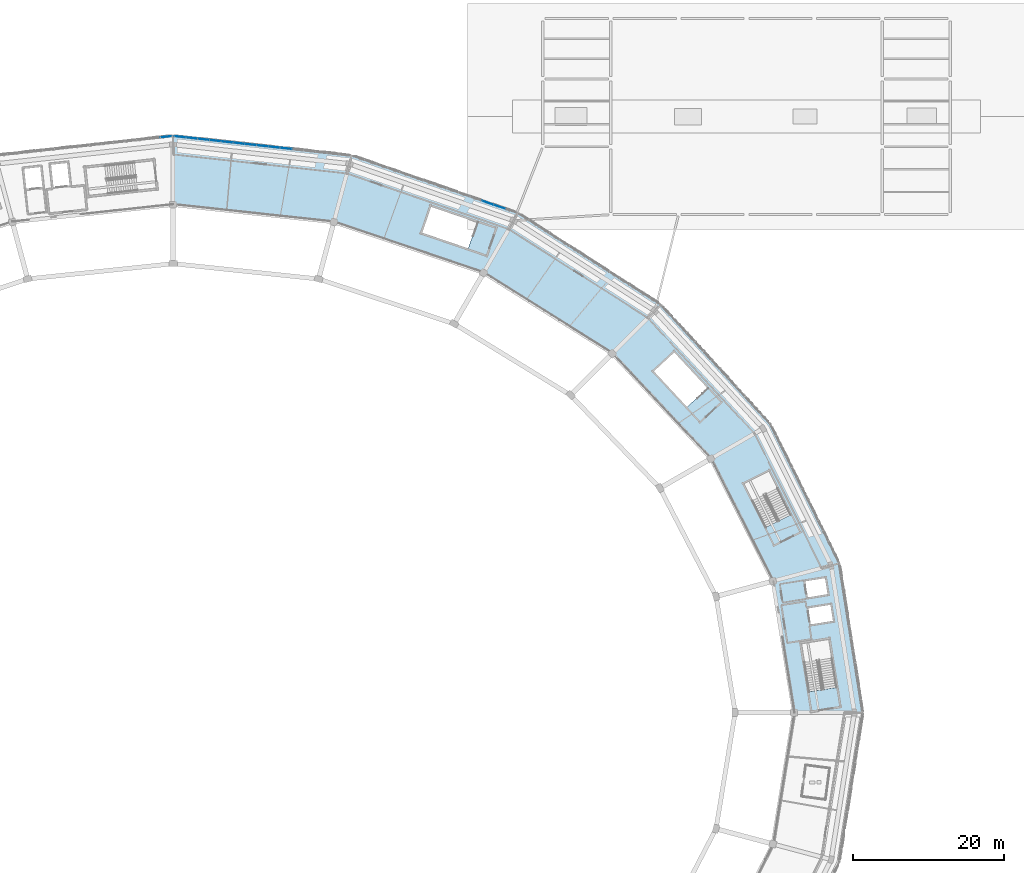
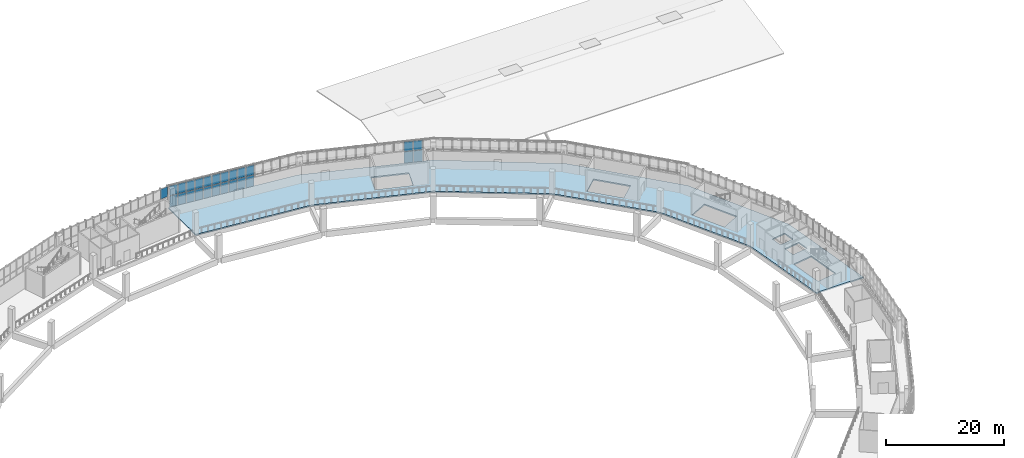
# One storey, part 63 of 108: 25 plates, 1 slab, 3 elements without a shape of their own.
"""IFC4 building model written with IfcOpenShell, lengths in metres."""

from ifc_helpers import new_model, si_unit, direction, frame, origin, origin_2d, place, context, subcontext, project, spatial, polyline, rectangle, outline, extrude, material, layer, layer_set, type_object, element, aggregate, save


model = new_model("IFC4")

# Units and contexts
model_context = context("Model", 3, precision=1e-05, world=origin(), true_north=direction((0.0, 1.0)))
body_context = subcontext(model_context, "Body", "Model", "MODEL_VIEW")
ifc_project = project(units=[si_unit("LENGTHUNIT", "METRE"), si_unit("AREAUNIT", "SQUARE_METRE"), si_unit("VOLUMEUNIT", "CUBIC_METRE"), si_unit("PLANEANGLEUNIT", "RADIAN"), si_unit("MASSUNIT", "GRAM", prefix="KILO")], contexts=[model_context])

# Site, building, storey
site_placement = place(None, origin())
site = spatial("IfcSite", under=ifc_project, at=site_placement, CompositionType="ELEMENT")
building_placement = place(site_placement, origin())
building = spatial("IfcBuilding", under=site, at=building_placement, Name="Zevraka Park Crest Stadium", CompositionType="ELEMENT")
storey_placement = place(building_placement, frame((0.0, 0.0, 19.800048828125)))
storey = spatial("IfcBuildingStorey", under=building, at=storey_placement, Name="L04", CompositionType="ELEMENT", Elevation=19.800048828125)

# Curtain wall, plates
ifc_material_1 = material(Name="Anodised architectural aluminium and laminated safety glass", Category="aluminium")
curtain_wall_type_1 = type_object("IfcCurtainWallType", Name="CW16", PredefinedType="NOTDEFINED", material=ifc_material_1)
curtain_wall_1_placement = place(storey_placement, origin())
curtain_wall_1 = element("IfcCurtainWall", 1, at=curtain_wall_1_placement, inside=storey, type_object=curtain_wall_type_1, Name="Unitised Ring Curtain Wall CW16 L04-05", PredefinedType="NOTDEFINED")
ifc_material_2 = material(Name="Solar-control laminated double glazing", Category="glass")
ifc_layer_1 = layer(ifc_material_2, 0.031982421875)
ifc_layer_set_1 = layer_set([ifc_layer_1], Name="Solar-control laminated double glazing")
plate_type_1 = type_object("IfcPlateType", Name="CP16", PredefinedType="CURTAIN_PANEL", material=ifc_layer_set_1)
plate_1_placement = place(storey_placement, frame((126.95263671875, 166.7734375, 0.059814453125), z_axis=(0.0, 0.0, 1.0), x_axis=(-0.993997152844, 0.109405941967, 0.0)))
plate_1 = element("IfcPlate", 2, at=plate_1_placement, type_object=plate_type_1, Name="CW16 panel 6.1", PredefinedType="CURTAIN_PANEL", context=body_context, shape_type="SweptSolid", body=[
    extrude(rectangle(XDim=1.509765625, YDim=0.031982421875, at=origin_2d()), origin(), (0.0, 0.0, 1.0), 2.31005859375),
])
plate_2_placement = place(storey_placement, frame((126.95263671875, 166.7734375, 2.4296875), z_axis=(0.0, 0.0, 1.0), x_axis=(-0.993997152844, 0.109405941967, 0.0)))
plate_2 = element("IfcPlate", 3, at=plate_2_placement, type_object=plate_type_1, Name="CW16 panel 6.2", PredefinedType="CURTAIN_PANEL", context=body_context, shape_type="SweptSolid", body=[
    extrude(rectangle(XDim=1.509765625, YDim=0.031982421875, at=origin_2d()), origin(), (0.0, 0.0, 1.0), 2.050048828125),
])
plate_3_placement = place(storey_placement, frame((125.392333984375, 166.9453125, 0.059814453125), z_axis=(0.0, 0.0, 1.0), x_axis=(-0.993997152844, 0.109405941967, 0.0)))
plate_3 = element("IfcPlate", 4, at=plate_3_placement, type_object=plate_type_1, Name="CW16 panel 7.1", PredefinedType="CURTAIN_PANEL", context=body_context, shape_type="SweptSolid", body=[
    extrude(rectangle(XDim=1.509765625, YDim=0.031982421875, at=origin_2d()), origin(), (0.0, 0.0, 1.0), 2.31005859375),
])
plate_4_placement = place(storey_placement, frame((125.392333984375, 166.9453125, 2.4296875), z_axis=(0.0, 0.0, 1.0), x_axis=(-0.993997152844, 0.109405941967, 0.0)))
plate_4 = element("IfcPlate", 5, at=plate_4_placement, type_object=plate_type_1, Name="CW16 panel 7.2", PredefinedType="CURTAIN_PANEL", context=body_context, shape_type="SweptSolid", body=[
    extrude(rectangle(XDim=1.509765625, YDim=0.031982421875, at=origin_2d()), origin(), (0.0, 0.0, 1.0), 2.050048828125),
])
plate_5_placement = place(storey_placement, frame((123.83203125, 167.116943359375, 0.059814453125), z_axis=(0.0, 0.0, 1.0), x_axis=(-0.993997152844, 0.109405941967, 0.0)))
plate_5 = element("IfcPlate", 6, at=plate_5_placement, type_object=plate_type_1, Name="CW16 panel 8.1", PredefinedType="CURTAIN_PANEL", context=body_context, shape_type="SweptSolid", body=[
    extrude(rectangle(XDim=1.509765625, YDim=0.031982421875, at=origin_2d()), origin(), (0.0, 0.0, 1.0), 2.31005859375),
])
plate_6_placement = place(storey_placement, frame((123.83203125, 167.116943359375, 2.4296875), z_axis=(0.0, 0.0, 1.0), x_axis=(-0.993997152844, 0.109405941967, 0.0)))
plate_6 = element("IfcPlate", 7, at=plate_6_placement, type_object=plate_type_1, Name="CW16 panel 8.2", PredefinedType="CURTAIN_PANEL", context=body_context, shape_type="SweptSolid", body=[
    extrude(rectangle(XDim=1.509765625, YDim=0.031982421875, at=origin_2d()), origin(), (0.0, 0.0, 1.0), 2.050048828125),
])
plate_7_placement = place(storey_placement, frame((122.271728515625, 167.288818359375, 0.059814453125), z_axis=(0.0, 0.0, 1.0), x_axis=(-0.993997152844, 0.109405941967, 0.0)))
plate_7 = element("IfcPlate", 8, at=plate_7_placement, type_object=plate_type_1, Name="CW16 panel 9.1", PredefinedType="CURTAIN_PANEL", context=body_context, shape_type="SweptSolid", body=[
    extrude(rectangle(XDim=1.509765625, YDim=0.031982421875, at=origin_2d()), origin(), (0.0, 0.0, 1.0), 2.31005859375),
])
plate_8_placement = place(storey_placement, frame((122.271728515625, 167.288818359375, 2.4296875), z_axis=(0.0, 0.0, 1.0), x_axis=(-0.993997152844, 0.109405941967, 0.0)))
plate_8 = element("IfcPlate", 9, at=plate_8_placement, type_object=plate_type_1, Name="CW16 panel 9.2", PredefinedType="CURTAIN_PANEL", context=body_context, shape_type="SweptSolid", body=[
    extrude(rectangle(XDim=1.509765625, YDim=0.031982421875, at=origin_2d()), origin(), (0.0, 0.0, 1.0), 2.050048828125),
])
plate_9_placement = place(storey_placement, frame((120.71142578125, 167.46044921875, 0.059814453125), z_axis=(0.0, 0.0, 1.0), x_axis=(-0.993997152844, 0.109405941967, 0.0)))
plate_9 = element("IfcPlate", 10, at=plate_9_placement, type_object=plate_type_1, Name="CW16 panel 10.1", PredefinedType="CURTAIN_PANEL", context=body_context, shape_type="SweptSolid", body=[
    extrude(rectangle(XDim=1.509765625, YDim=0.031982421875, at=origin_2d()), origin(), (0.0, 0.0, 1.0), 2.31005859375),
])
plate_10_placement = place(storey_placement, frame((120.71142578125, 167.46044921875, 2.4296875), z_axis=(0.0, 0.0, 1.0), x_axis=(-0.993997152844, 0.109405941967, 0.0)))
plate_10 = element("IfcPlate", 11, at=plate_10_placement, type_object=plate_type_1, Name="CW16 panel 10.2", PredefinedType="CURTAIN_PANEL", context=body_context, shape_type="SweptSolid", body=[
    extrude(rectangle(XDim=1.509765625, YDim=0.031982421875, at=origin_2d()), origin(), (0.0, 0.0, 1.0), 2.050048828125),
])
plate_11_placement = place(storey_placement, frame((119.151123046875, 167.632080078125, 0.059814453125), z_axis=(0.0, 0.0, 1.0), x_axis=(-0.993997152844, 0.109405941967, 0.0)))
plate_11 = element("IfcPlate", 12, at=plate_11_placement, type_object=plate_type_1, Name="CW16 panel 11.1", PredefinedType="CURTAIN_PANEL", context=body_context, shape_type="SweptSolid", body=[
    extrude(rectangle(XDim=1.509765625, YDim=0.031982421875, at=origin_2d()), origin(), (0.0, 0.0, 1.0), 2.31005859375),
])
plate_12_placement = place(storey_placement, frame((119.151123046875, 167.632080078125, 2.4296875), z_axis=(0.0, 0.0, 1.0), x_axis=(-0.993997152844, 0.109405941967, 0.0)))
plate_12 = element("IfcPlate", 13, at=plate_12_placement, type_object=plate_type_1, Name="CW16 panel 11.2", PredefinedType="CURTAIN_PANEL", context=body_context, shape_type="SweptSolid", body=[
    extrude(rectangle(XDim=1.509765625, YDim=0.031982421875, at=origin_2d()), origin(), (0.0, 0.0, 1.0), 2.050048828125),
])
plate_13_placement = place(storey_placement, frame((117.5908203125, 167.803955078125, 0.059814453125), z_axis=(0.0, 0.0, 1.0), x_axis=(-0.993997152844, 0.109405941967, 0.0)))
plate_13 = element("IfcPlate", 14, at=plate_13_placement, type_object=plate_type_1, Name="CW16 panel 12.1", PredefinedType="CURTAIN_PANEL", context=body_context, shape_type="SweptSolid", body=[
    extrude(rectangle(XDim=1.509765625, YDim=0.031982421875, at=origin_2d()), origin(), (0.0, 0.0, 1.0), 2.31005859375),
])
plate_14_placement = place(storey_placement, frame((117.5908203125, 167.803955078125, 2.4296875), z_axis=(0.0, 0.0, 1.0), x_axis=(-0.993997152844, 0.109405941967, 0.0)))
plate_14 = element("IfcPlate", 15, at=plate_14_placement, type_object=plate_type_1, Name="CW16 panel 12.2", PredefinedType="CURTAIN_PANEL", context=body_context, shape_type="SweptSolid", body=[
    extrude(rectangle(XDim=1.509765625, YDim=0.031982421875, at=origin_2d()), origin(), (0.0, 0.0, 1.0), 2.050048828125),
])
plate_15_placement = place(storey_placement, frame((116.03076171875, 167.9755859375, 0.059814453125), z_axis=(0.0, 0.0, 1.0), x_axis=(-0.993997152844, 0.109405941967, 0.0)))
plate_15 = element("IfcPlate", 16, at=plate_15_placement, type_object=plate_type_1, Name="CW16 panel 13.1", PredefinedType="CURTAIN_PANEL", context=body_context, shape_type="SweptSolid", body=[
    extrude(rectangle(XDim=1.509765625, YDim=0.031982421875, at=origin_2d()), origin(), (0.0, 0.0, 1.0), 2.31005859375),
])
plate_16_placement = place(storey_placement, frame((116.03076171875, 167.9755859375, 2.4296875), z_axis=(0.0, 0.0, 1.0), x_axis=(-0.993997152844, 0.109405941967, 0.0)))
plate_16 = element("IfcPlate", 17, at=plate_16_placement, type_object=plate_type_1, Name="CW16 panel 13.2", PredefinedType="CURTAIN_PANEL", context=body_context, shape_type="SweptSolid", body=[
    extrude(rectangle(XDim=1.509765625, YDim=0.031982421875, at=origin_2d()), origin(), (0.0, 0.0, 1.0), 2.050048828125),
])
plate_17_placement = place(storey_placement, frame((114.470458984375, 168.1474609375, 0.059814453125), z_axis=(0.0, 0.0, 1.0), x_axis=(-0.993997152844, 0.109405941967, 0.0)))
plate_17 = element("IfcPlate", 18, at=plate_17_placement, type_object=plate_type_1, Name="CW16 panel 14.1", PredefinedType="CURTAIN_PANEL", context=body_context, shape_type="SweptSolid", body=[
    extrude(rectangle(XDim=1.509765625, YDim=0.031982421875, at=origin_2d()), origin(), (0.0, 0.0, 1.0), 2.31005859375),
])
plate_18_placement = place(storey_placement, frame((114.470458984375, 168.1474609375, 2.4296875), z_axis=(0.0, 0.0, 1.0), x_axis=(-0.993997152844, 0.109405941967, 0.0)))
plate_18 = element("IfcPlate", 19, at=plate_18_placement, type_object=plate_type_1, Name="CW16 panel 14.2", PredefinedType="CURTAIN_PANEL", context=body_context, shape_type="SweptSolid", body=[
    extrude(rectangle(XDim=1.509765625, YDim=0.031982421875, at=origin_2d()), origin(), (0.0, 0.0, 1.0), 2.050048828125),
])
plate_19_placement = place(storey_placement, frame((112.925048828125, 168.3173828125, 0.059814453125), z_axis=(0.0, 0.0, 1.0), x_axis=(-0.993997152844, 0.109405941967, 0.0)))
plate_19 = element("IfcPlate", 20, at=plate_19_placement, type_object=plate_type_1, Name="CW16 panel 15.1", PredefinedType="CURTAIN_PANEL", context=body_context, shape_type="SweptSolid", body=[
    extrude(rectangle(XDim=1.479736328125, YDim=0.031982421875, at=origin_2d()), origin(), (0.0, 0.0, 1.0), 2.31005859375),
])
plate_20_placement = place(storey_placement, frame((112.925048828125, 168.3173828125, 2.4296875), z_axis=(0.0, 0.0, 1.0), x_axis=(-0.993997152844, 0.109405941967, 0.0)))
plate_20 = element("IfcPlate", 21, at=plate_20_placement, type_object=plate_type_1, Name="CW16 panel 15.2", PredefinedType="CURTAIN_PANEL", context=body_context, shape_type="SweptSolid", body=[
    extrude(rectangle(XDim=1.479736328125, YDim=0.031982421875, at=origin_2d()), origin(), (0.0, 0.0, 1.0), 2.050048828125),
])
aggregate(curtain_wall_1, [plate_1, plate_2, plate_3, plate_4, plate_5, plate_6, plate_7, plate_8, plate_9, plate_10, plate_11, plate_12, plate_13, plate_14, plate_15, plate_16, plate_17, plate_18, plate_19, plate_20])

# Curtain wall, plate
curtain_wall_2_placement = place(storey_placement, origin())
curtain_wall_2 = element("IfcCurtainWall", 22, at=curtain_wall_2_placement, inside=storey, type_object=curtain_wall_type_1, Name="Unitised Ring Curtain Wall CW16 L04-06", PredefinedType="NOTDEFINED")
plate_21_placement = place(storey_placement, frame((111.074951171875, 168.3173828125, 2.4296875), z_axis=(0.0, 0.0, 1.0), x_axis=(-0.993997152844, -0.109405941967, 0.0)))
plate_21 = element("IfcPlate", 23, at=plate_21_placement, type_object=plate_type_1, Name="CW16 panel 1.2", PredefinedType="CURTAIN_PANEL", context=body_context, shape_type="SweptSolid", body=[
    extrude(rectangle(XDim=1.479736328125, YDim=0.031982421875, at=origin_2d()), origin(), (0.0, 0.0, 1.0), 2.050048828125),
])
aggregate(curtain_wall_2, [plate_21])

# Curtain wall, plates
ifc_material_3 = material(Name="Anodised architectural aluminium and laminated safety glass", Category="aluminium")
curtain_wall_type_2 = type_object("IfcCurtainWallType", Name="CW17", PredefinedType="NOTDEFINED", material=ifc_material_3)
curtain_wall_3_placement = place(storey_placement, origin())
curtain_wall_3 = element("IfcCurtainWall", 24, at=curtain_wall_3_placement, inside=storey, type_object=curtain_wall_type_2, Name="Unitised Ring Curtain Wall CW17 L04-04", PredefinedType="NOTDEFINED")
ifc_material_4 = material(Name="Solar-control laminated double glazing", Category="glass")
ifc_layer_2 = layer(ifc_material_4, 0.031982421875)
ifc_layer_set_2 = layer_set([ifc_layer_2], Name="Solar-control laminated double glazing")
plate_type_2 = type_object("IfcPlateType", Name="CP17", PredefinedType="CURTAIN_PANEL", material=ifc_layer_set_2)
plate_22_placement = place(storey_placement, frame((155.255859375, 159.030029296875, 0.06494140625), z_axis=(0.0, 0.0, 1.0), x_axis=(-0.944939691816, 0.327244524523, 0.0)))
plate_22 = element("IfcPlate", 25, at=plate_22_placement, type_object=plate_type_2, Name="CW17 panel 2.1", PredefinedType="CURTAIN_PANEL", context=body_context, shape_type="SweptSolid", body=[
    extrude(rectangle(XDim=1.583251953125, YDim=0.031982421875, at=origin_2d()), origin(), (0.0, 0.0, 1.0), 2.302490234375),
])
plate_23_placement = place(storey_placement, frame((155.255859375, 159.030029296875, 2.432373046875), z_axis=(0.0, 0.0, 1.0), x_axis=(-0.944939691816, 0.327244524523, 0.0)))
plate_23 = element("IfcPlate", 26, at=plate_23_placement, type_object=plate_type_2, Name="CW17 panel 2.2", PredefinedType="CURTAIN_PANEL", context=body_context, shape_type="SweptSolid", body=[
    extrude(rectangle(XDim=1.583251953125, YDim=0.031982421875, at=origin_2d()), origin(), (0.0, 0.0, 1.0), 2.04248046875),
])
plate_24_placement = place(storey_placement, frame((153.698486328125, 159.5693359375, 0.06494140625), z_axis=(0.0, 0.0, 1.0), x_axis=(-0.944939691816, 0.327244524523, 0.0)))
plate_24 = element("IfcPlate", 27, at=plate_24_placement, type_object=plate_type_2, Name="CW17 panel 3.1", PredefinedType="CURTAIN_PANEL", context=body_context, shape_type="SweptSolid", body=[
    extrude(rectangle(XDim=1.583251953125, YDim=0.031982421875, at=origin_2d()), origin(), (0.0, 0.0, 1.0), 2.302490234375),
])
plate_25_placement = place(storey_placement, frame((153.698486328125, 159.5693359375, 2.432373046875), z_axis=(0.0, 0.0, 1.0), x_axis=(-0.944939691816, 0.327244524523, 0.0)))
plate_25 = element("IfcPlate", 28, at=plate_25_placement, type_object=plate_type_2, Name="CW17 panel 3.2", PredefinedType="CURTAIN_PANEL", context=body_context, shape_type="SweptSolid", body=[
    extrude(rectangle(XDim=1.583251953125, YDim=0.031982421875, at=origin_2d()), origin(), (0.0, 0.0, 1.0), 2.04248046875),
])
aggregate(curtain_wall_3, [plate_22, plate_23, plate_24, plate_25])

# Slab
ifc_material_5 = material(Name="Concrete C35/45", Category="concrete")
ifc_layer_3 = layer(ifc_material_5, 0.260009765625)
ifc_layer_set_3 = layer_set([ifc_layer_3], Name="Concrete C35/45")
slab_type = type_object("IfcSlabType", Name="FS03", PredefinedType="FLOOR", material=ifc_layer_set_3)
slab_placement = place(storey_placement, frame((0.0, 0.0, -0.260009765625)))
element("IfcSlab", 29, at=slab_placement, inside=storey, type_object=slab_type, Name="Bowl Concourse Ring Slab L04 Q1-NE-1", PredefinedType="FLOOR", context=body_context, shape_type="SweptSolid", body=[
    extrude(outline(polyline([(191.49609375, 109.4189453125), (183.27392578125, 125.64990234375), (170.195068359375, 139.587890625), (153.14990234375, 150.283935546875), (133.301025390625, 157.007080078125), (112.0, 159.300048828125), (112.0, 168.5), (135.681884765625, 165.89306640625), (157.75, 158.2509765625), (176.699951171875, 146.093994140625), (191.240966796875, 130.25), (200.382080078125, 111.800048828125), (203.5, 92.0), (194.300048828125, 92.0), (191.49609375, 109.4189453125)]), holes=[polyline([(196.257080078125, 94.7529296875), (199.969970703125, 95.344970703125), (198.945068359375, 101.782958984375), (195.23193359375, 101.19189453125), (196.257080078125, 94.7529296875)]), polyline([(196.18408203125, 105.840087890625), (196.529052734375, 103.6669921875), (199.491943359375, 104.137939453125), (199.14697265625, 106.31103515625), (196.18408203125, 105.840087890625)]), polyline([(195.76708984375, 109.419921875), (196.112060546875, 107.2470703125), (198.779052734375, 107.669921875), (198.43408203125, 109.843017578125), (195.76708984375, 109.419921875)]), polyline([(190.535888671875, 116.5400390625), (193.89794921875, 118.22412109375), (190.97705078125, 124.052978515625), (187.615966796875, 122.368896484375), (190.535888671875, 116.5400390625)]), polyline([(175.660888671875, 137.251953125), (180.095947265625, 132.472900390625), (182.85205078125, 135.030029296875), (178.4169921875, 139.80908203125), (175.660888671875, 137.251953125)]), polyline([(144.93408203125, 155.571044921875), (151.10205078125, 153.4580078125), (152.320068359375, 157.01611328125), (146.152099609375, 159.1279296875), (144.93408203125, 155.571044921875)])]), origin(), (0.0, 0.0, 1.0), 0.260009765625),
])

save(model, "model.ifc")
